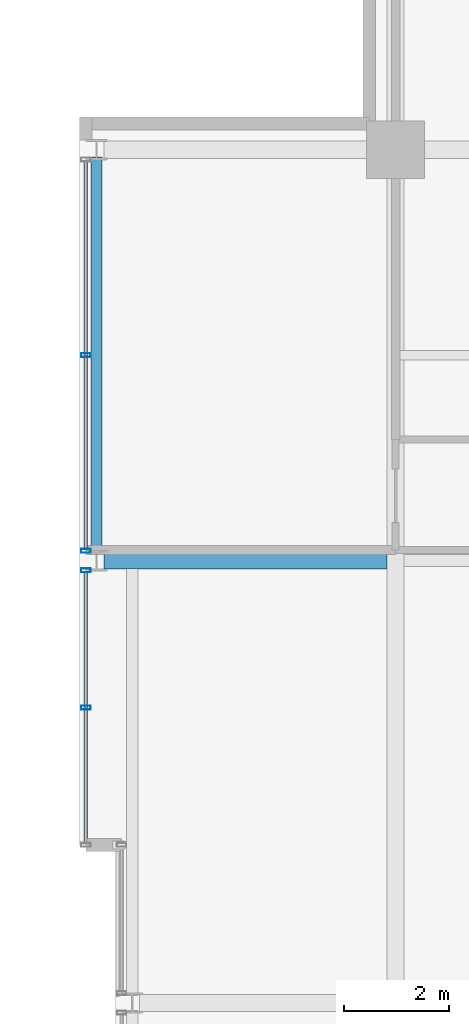
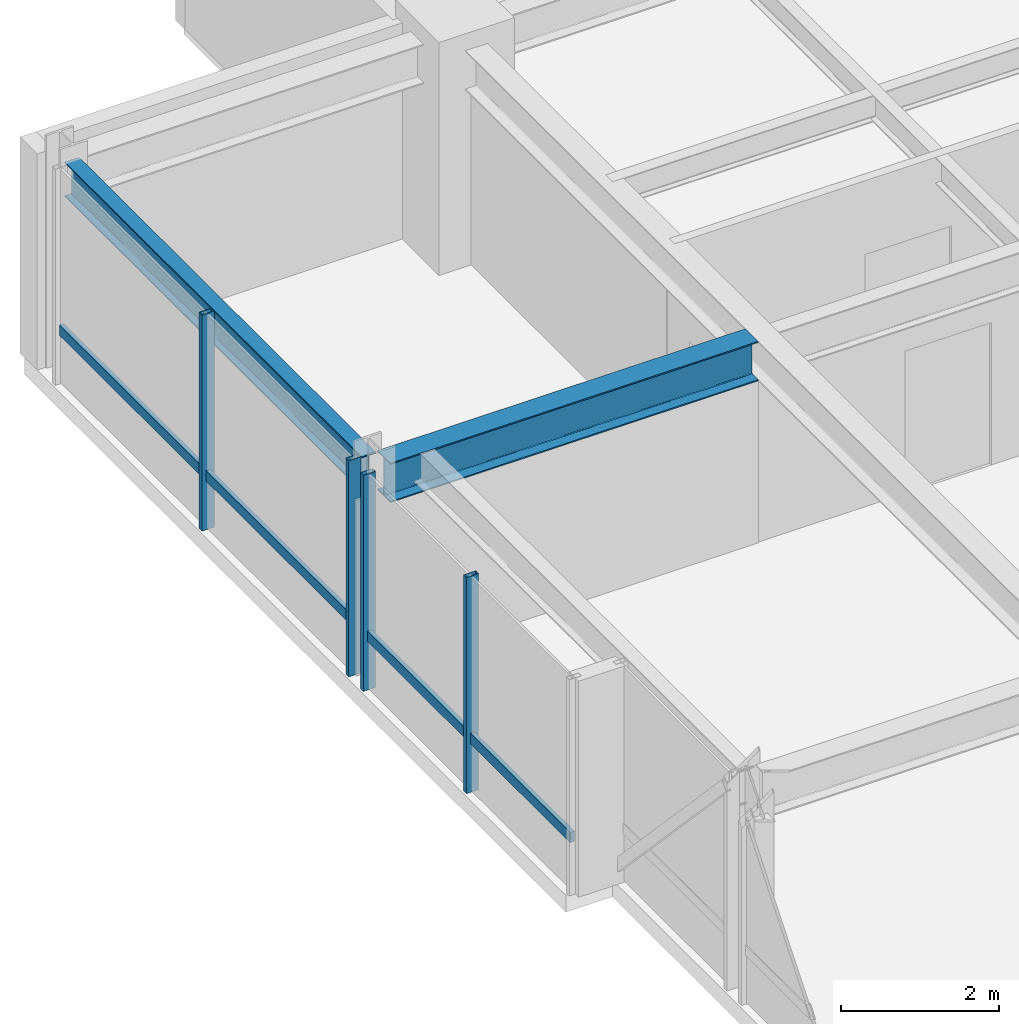
# One storey, part 17 of 32: 6 members, 2 beams, 2 elements without a shape of their own.
"""IFC4 building model written with IfcOpenShell, lengths in metres."""

from ifc_helpers import new_model, si_unit, direction, frame, origin, origin_2d, place, context, subcontext, project, spatial, hollow_rectangle, i_section, extrude, material, layer, layer_set, material_profile, profile_set, type_object, element, aggregate, save


model = new_model("IFC4")

# Units and contexts
model_context = context("Model", 3, precision=1e-05, world=origin(), true_north=direction((0.0, 1.0)))
body_context = subcontext(model_context, "Body", "Model", "MODEL_VIEW")
ifc_project = project(units=[si_unit("LENGTHUNIT", "METRE"), si_unit("AREAUNIT", "SQUARE_METRE"), si_unit("VOLUMEUNIT", "CUBIC_METRE"), si_unit("PLANEANGLEUNIT", "RADIAN"), si_unit("MASSUNIT", "GRAM", prefix="KILO")], contexts=[model_context])

# Site, building, storey
site_placement = place(None, origin())
site = spatial("IfcSite", under=ifc_project, at=site_placement, CompositionType="ELEMENT")
building_placement = place(site_placement, origin())
building = spatial("IfcBuilding", under=site, at=building_placement, Name="Drelvath Grand Hotel", CompositionType="ELEMENT")
storey_placement = place(building_placement, frame((0.0, 0.0, 226.699951171875)))
storey = spatial("IfcBuildingStorey", under=building, at=storey_placement, Name="L59", CompositionType="ELEMENT", Elevation=226.699951171875)

# Curtain wall, member
ifc_material_1 = material(Name="Platinum-Mist Anodised Aluminium Frame", Category="aluminium")
ifc_layer = layer(ifc_material_1, 0.199951171875)
ifc_layer_set = layer_set([ifc_layer], Name="Platinum-Mist Anodised Aluminium Frame")
curtain_wall_type = type_object("IfcCurtainWallType", Name="Stick Curtain Wall CW-05 Platinum Mist High-Rise", PredefinedType="NOTDEFINED", material=ifc_layer_set)
curtain_wall_1_placement = place(storey_placement, origin())
curtain_wall_1 = element("IfcCurtainWall", 1, at=curtain_wall_1_placement, inside=storey, type_object=curtain_wall_type, Name="L59 CW-05 Curtain Wall CW05-L59-WN1", PredefinedType="NOTDEFINED")
ifc_material_profile_1 = material_profile(ifc_material_1, hollow_rectangle(XDim=0.06494140625, YDim=0.159912109375, WallThickness=0.00390625, at=origin_2d()), Name="HSS160X65X4")
ifc_profile_set_1 = profile_set([ifc_material_profile_1], Name="Platinum-Mist Anodised Aluminium Frame")
member_type_1 = type_object("IfcMemberType", Name="Curtain Wall Horizontal Transom CW-05 HSS160X65X4", PredefinedType="USERDEFINED", material=ifc_profile_set_1)
member_1_placement = place(storey_placement, frame((-22.080078125, 30.0400390625, 0.8349609375), z_axis=(0.0, 1.0, 0.0), x_axis=(-1.0, 0.0, 0.0)))
member_1 = element("IfcMember", 2, at=member_1_placement, type_object=member_type_1, Name="CW05-L59-WN1 Sill Transom", ObjectType="TRANSOM", PredefinedType="USERDEFINED", context=body_context, shape_type="SweptSolid", body=[
    extrude(hollow_rectangle(XDim=0.06494140625, YDim=0.159912109375, WallThickness=0.00390625, at=origin_2d()), origin(), (0.0, 0.0, 1.0), 5.134765625),
])

curtain_wall_2_placement = place(storey_placement, origin())
curtain_wall_2 = element("IfcCurtainWall", 3, at=curtain_wall_2_placement, inside=storey, type_object=curtain_wall_type, Name="L59 CW-05 Curtain Wall CW05-L59-WN2", PredefinedType="NOTDEFINED")
member_2_placement = place(storey_placement, frame((-22.080078125, 35.625244140625, 0.8349609375), z_axis=(0.0, 1.0, 0.0), x_axis=(-1.0, 0.0, 0.0)))
member_2 = element("IfcMember", 4, at=member_2_placement, type_object=member_type_1, Name="CW05-L59-WN2 Sill Transom", ObjectType="TRANSOM", PredefinedType="USERDEFINED", context=body_context, shape_type="SweptSolid", body=[
    extrude(hollow_rectangle(XDim=0.06494140625, YDim=0.159912109375, WallThickness=0.00390625, at=origin_2d()), origin(), (0.0, 0.0, 1.0), 7.349365234375),
])

# Member
ifc_material_profile_2 = material_profile(ifc_material_1, hollow_rectangle(XDim=0.074951171875, YDim=0.179931640625, WallThickness=0.0048828125, at=origin_2d()), Name="HSS180X75X5")
ifc_profile_set_2 = profile_set([ifc_material_profile_2], Name="Platinum-Mist Anodised Aluminium Frame")
member_type_2 = type_object("IfcMemberType", Name="Curtain Wall Vertical Mullion CW-05 HSS180X75X5", PredefinedType="MULLION", material=ifc_profile_set_2)
member_3_placement = place(storey_placement, frame((-22.080078125, 32.607421875, 0.0), z_axis=(0.0, 0.0, 1.0), x_axis=(0.0, 1.0, 0.0)))
member_3 = element("IfcMember", 5, at=member_3_placement, type_object=member_type_2, Name="CW05-L59-WN1 Mullion 2", PredefinedType="MULLION", context=body_context, shape_type="SweptSolid", body=[
    extrude(hollow_rectangle(XDim=0.074951171875, YDim=0.179931640625, WallThickness=0.0048828125, at=origin_2d()), origin(), (0.0, 0.0, 1.0), 3.340087890625),
])

member_4_placement = place(storey_placement, frame((-22.080078125, 35.214599609375, 0.0), z_axis=(0.0, 0.0, 1.0), x_axis=(0.0, 1.0, 0.0)))
member_4 = element("IfcMember", 6, at=member_4_placement, type_object=member_type_2, Name="CW05-L59-WN1 Mullion 3", PredefinedType="MULLION", context=body_context, shape_type="SweptSolid", body=[
    extrude(hollow_rectangle(XDim=0.074951171875, YDim=0.179931640625, WallThickness=0.0048828125, at=origin_2d()), origin(), (0.0, 0.0, 1.0), 3.340087890625),
])

aggregate(curtain_wall_1, [member_3, member_4, member_1])

member_5_placement = place(storey_placement, frame((-22.080078125, 35.585205078125, 0.0), z_axis=(0.0, 0.0, 1.0), x_axis=(0.0, 1.0, 0.0)))
member_5 = element("IfcMember", 7, at=member_5_placement, type_object=member_type_2, Name="CW05-L59-WN2 Mullion 1", PredefinedType="MULLION", context=body_context, shape_type="SweptSolid", body=[
    extrude(hollow_rectangle(XDim=0.074951171875, YDim=0.179931640625, WallThickness=0.0048828125, at=origin_2d()), origin(), (0.0, 0.0, 1.0), 3.340087890625),
])

member_6_placement = place(storey_placement, frame((-22.080078125, 39.300048828125, 0.0), z_axis=(0.0, 0.0, 1.0), x_axis=(0.0, 1.0, 0.0)))
member_6 = element("IfcMember", 8, at=member_6_placement, type_object=member_type_2, Name="CW05-L59-WN2 Mullion 2", PredefinedType="MULLION", context=body_context, shape_type="SweptSolid", body=[
    extrude(hollow_rectangle(XDim=0.074951171875, YDim=0.179931640625, WallThickness=0.0048828125, at=origin_2d()), origin(), (0.0, 0.0, 1.0), 3.340087890625),
])

aggregate(curtain_wall_2, [member_5, member_6, member_2])

# Beams
ifc_material_2 = material(Name="Steel ASTM A992 Gr 50", Category="steel")
ifc_material_profile_3 = material_profile(ifc_material_2, i_section(OverallWidth=0.210205078125, OverallDepth=0.53662109375, WebThickness=0.010986328125, FlangeThickness=0.017333984375, FilletRadius=0.01806640625, at=origin_2d()), Name="W21X68")
ifc_profile_set_3 = profile_set([ifc_material_profile_3], Name="Steel ASTM A992 Gr 50")
beam_type_1 = type_object("IfcBeamType", Name="Perimeter Spandrel Beam W21X68", PredefinedType="SPANDREL", material=ifc_profile_set_3)
beam_1_placement = place(storey_placement, frame((-21.8798828125, 35.5400390625, 3.071533203125), z_axis=(0.0, 1.0, 0.0), x_axis=(-1.0, 0.0, 0.0)))
element("IfcBeam", 9, at=beam_1_placement, inside=storey, type_object=beam_type_1, Name="L59 Spandrel West N", PredefinedType="SPANDREL", context=body_context, shape_type="SweptSolid", body=[
    extrude(i_section(OverallWidth=0.210205078125, OverallDepth=0.53662109375, WebThickness=0.010986328125, FlangeThickness=0.017333984375, FilletRadius=0.01806640625, at=origin_2d()), origin(), (0.0, 0.0, 1.0), 7.52001953125),
])
ifc_material_profile_4 = material_profile(ifc_material_2, i_section(OverallWidth=0.323974609375, OverallDepth=0.611083984375, WebThickness=0.0126953125, FlangeThickness=0.01904296875, FilletRadius=0.02197265625, at=origin_2d()), Name="W24X104")
ifc_profile_set_4 = profile_set([ifc_material_profile_4], Name="Steel ASTM A992 Gr 50")
beam_type_2 = type_object("IfcBeamType", Name="Primary Floor Girder W24X104", PredefinedType="BEAM", material=ifc_profile_set_4)
beam_2_placement = place(storey_placement, frame((-21.739990234375, 35.39990234375, 3.034423828125), z_axis=(1.0, 0.0, 0.0), x_axis=(0.0, 1.0, 0.0)))
element("IfcBeam", 10, at=beam_2_placement, inside=storey, type_object=beam_type_2, Name="L59 West Wing Girder F", PredefinedType="BEAM", context=body_context, shape_type="SweptSolid", body=[
    extrude(i_section(OverallWidth=0.323974609375, OverallDepth=0.611083984375, WebThickness=0.0126953125, FlangeThickness=0.01904296875, FilletRadius=0.02197265625, at=origin_2d()), origin(), (0.0, 0.0, 1.0), 5.3779296875),
])

save(model, "model.ifc")
